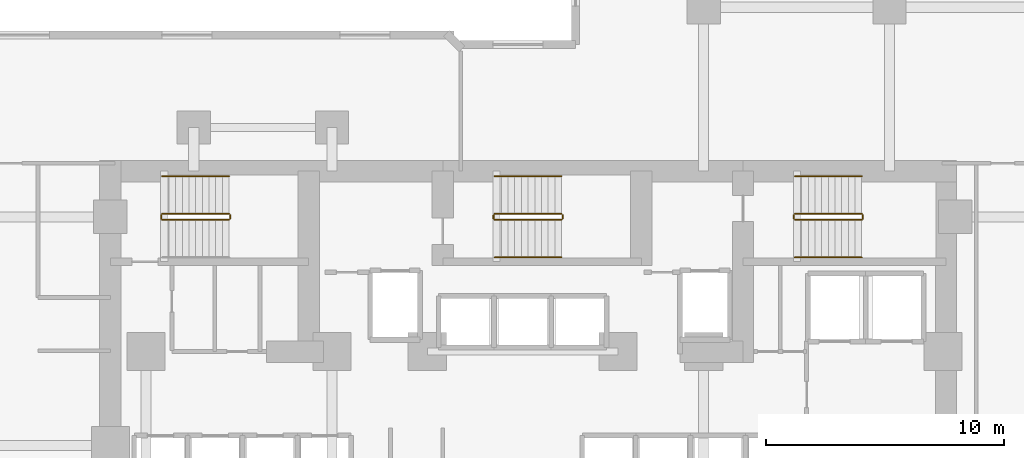
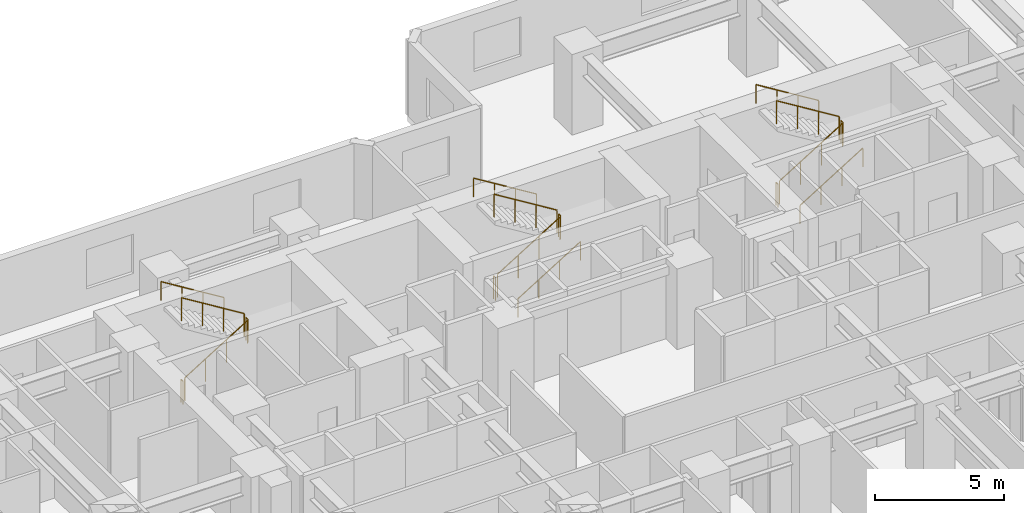
# One storey, part 12 of 12: 17 railings.
"""IFC4 building model written with IfcOpenShell, lengths in metres."""

from ifc_helpers import new_model, si_unit, direction, frame, origin, origin_2d, place, context, subcontext, project, spatial, circle, extrude, material, type_object, element, save


model = new_model("IFC4")

# Units and contexts
model_context = context("Model", 3, precision=1e-05, world=origin(), true_north=direction((0.0, 1.0)))
body_context = subcontext(model_context, "Body", "Model", "MODEL_VIEW")
ifc_project = project(units=[si_unit("LENGTHUNIT", "METRE"), si_unit("AREAUNIT", "SQUARE_METRE"), si_unit("VOLUMEUNIT", "CUBIC_METRE"), si_unit("PLANEANGLEUNIT", "RADIAN"), si_unit("MASSUNIT", "GRAM", prefix="KILO")], contexts=[model_context])

# Site, building, storey
site_placement = place(None, origin())
site = spatial("IfcSite", under=ifc_project, at=site_placement, CompositionType="ELEMENT")
building_placement = place(site_placement, origin())
building = spatial("IfcBuilding", under=site, at=building_placement, Name="Kestravale Grand Hotel", CompositionType="ELEMENT")
storey_placement = place(building_placement, frame((0.0, 0.0, 26.0)))
storey = spatial("IfcBuildingStorey", under=building, at=storey_placement, Name="L05", CompositionType="ELEMENT", Elevation=26.0)

# Railings
ifc_material_1 = material(Name="Painted tubular steel stair well guard", Category="steel")
railing_type_1 = type_object("IfcRailingType", Name="RL-ST-GRD1100", PredefinedType="GUARDRAIL", material=ifc_material_1)
railing_1_placement = place(storey_placement, frame((24.080078125, 38.280029296875, 0.172607421875)))
element("IfcRailing", 1, at=railing_1_placement, inside=storey, type_object=railing_type_1, Name="L05 ST-1 stair guard 1", PredefinedType="GUARDRAIL", context=body_context, shape_type="SweptSolid", body=[
    extrude(circle(Radius=0.02392578125, at=origin_2d()), frame((0.0, 0.0, 1.076171875), z_axis=(0.851069175582, 0.0, 0.525053576669), x_axis=(0.0, 1.0, 0.0)), (0.0, 0.0, 1.0), 3.289794921875),
    extrude(circle(Radius=0.02099609375, at=origin_2d()), origin(), (0.0, 0.0, 1.0), 1.052001953125),
    extrude(circle(Radius=0.02099609375, at=origin_2d()), frame((0.933349609375, 0.0, 0.57568359375)), (0.0, 0.0, 1.0), 1.052001953125),
    extrude(circle(Radius=0.02099609375, at=origin_2d()), frame((1.866455078125, 0.0, 1.151611328125)), (0.0, 0.0, 1.0), 1.052001953125),
    extrude(circle(Radius=0.02099609375, at=origin_2d()), frame((2.7998046875, 0.0, 1.727294921875)), (0.0, 0.0, 1.0), 1.052001953125),
])
railing_2_placement = place(storey_placement, frame((26.929931640625, 38.330078125, 1.89990234375)))
element("IfcRailing", 2, at=railing_2_placement, inside=storey, type_object=railing_type_1, Name="L05 ST-1 stair guard 2", PredefinedType="GUARDRAIL", context=body_context, shape_type="SweptSolid", body=[
    extrude(circle(Radius=0.02392578125, at=origin_2d()), frame((0.0, 0.0, 1.076171875), z_axis=(0.0, 1.0, 0.0), x_axis=(-1.0, 0.0, 0.0)), (0.0, 0.0, 1.0), 0.14990234375),
    extrude(circle(Radius=0.02099609375, at=origin_2d()), origin(), (0.0, 0.0, 1.0), 1.052001953125),
    extrude(circle(Radius=0.02099609375, at=origin_2d()), frame((0.0, 0.14990234375, 0.0)), (0.0, 0.0, 1.0), 1.052001953125),
])
railing_3_placement = place(storey_placement, frame((26.8798828125, 38.530029296875, 2.07275390625)))
element("IfcRailing", 3, at=railing_3_placement, inside=storey, type_object=railing_type_1, Name="L05 ST-1 stair guard 3", PredefinedType="GUARDRAIL", context=body_context, shape_type="SweptSolid", body=[
    extrude(circle(Radius=0.02392578125, at=origin_2d()), frame((0.0, 0.0, 1.076171875), z_axis=(-0.851069175582, 0.0, 0.525053576669), x_axis=(0.0, -1.0, 0.0)), (0.0, 0.0, 1.0), 3.289794921875),
    extrude(circle(Radius=0.02099609375, at=origin_2d()), origin(), (0.0, 0.0, 1.0), 1.052001953125),
    extrude(circle(Radius=0.02099609375, at=origin_2d()), frame((-0.933349609375, 0.0, 0.57568359375)), (0.0, 0.0, 1.0), 1.052001953125),
    extrude(circle(Radius=0.02099609375, at=origin_2d()), frame((-1.866455078125, 0.0, 1.151611328125)), (0.0, 0.0, 1.0), 1.052001953125),
    extrude(circle(Radius=0.02099609375, at=origin_2d()), frame((-2.7998046875, 0.0, 1.727294921875)), (0.0, 0.0, 1.0), 1.052001953125),
])
railing_4_placement = place(storey_placement, frame((24.030029296875, 38.330078125, 0.0)))
element("IfcRailing", 4, at=railing_4_placement, inside=storey, type_object=railing_type_1, Name="L05 ST-1 stair guard 4", PredefinedType="GUARDRAIL", context=body_context, shape_type="SweptSolid", body=[
    extrude(circle(Radius=0.02392578125, at=origin_2d()), frame((0.0, 0.0, 1.076171875), z_axis=(0.0, 1.0, 0.0), x_axis=(-1.0, 0.0, 0.0)), (0.0, 0.0, 1.0), 0.14990234375),
    extrude(circle(Radius=0.02099609375, at=origin_2d()), origin(), (0.0, 0.0, 1.0), 1.052001953125),
    extrude(circle(Radius=0.02099609375, at=origin_2d()), frame((0.0, 0.14990234375, 0.0)), (0.0, 0.0, 1.0), 1.052001953125),
])
railing_5_placement = place(storey_placement, frame((38.030029296875, 38.280029296875, 0.172607421875)))
element("IfcRailing", 5, at=railing_5_placement, inside=storey, type_object=railing_type_1, Name="L05 ST-2 stair guard 1", PredefinedType="GUARDRAIL", context=body_context, shape_type="SweptSolid", body=[
    extrude(circle(Radius=0.02392578125, at=origin_2d()), frame((0.0, 0.0, 1.076171875), z_axis=(0.851089632645, 0.0, 0.525020415988), x_axis=(0.0, 1.0, 0.0)), (0.0, 0.0, 1.0), 3.2900390625),
    extrude(circle(Radius=0.02099609375, at=origin_2d()), origin(), (0.0, 0.0, 1.0), 1.052001953125),
    extrude(circle(Radius=0.02099609375, at=origin_2d()), frame((0.933349609375, 0.0, 0.57568359375)), (0.0, 0.0, 1.0), 1.052001953125),
    extrude(circle(Radius=0.02099609375, at=origin_2d()), frame((1.86669921875, 0.0, 1.151611328125)), (0.0, 0.0, 1.0), 1.052001953125),
    extrude(circle(Radius=0.02099609375, at=origin_2d()), frame((2.800048828125, 0.0, 1.727294921875)), (0.0, 0.0, 1.0), 1.052001953125),
])
railing_6_placement = place(storey_placement, frame((40.8798828125, 38.330078125, 1.89990234375)))
element("IfcRailing", 6, at=railing_6_placement, inside=storey, type_object=railing_type_1, Name="L05 ST-2 stair guard 2", PredefinedType="GUARDRAIL", context=body_context, shape_type="SweptSolid", body=[
    extrude(circle(Radius=0.02392578125, at=origin_2d()), frame((0.0, 0.0, 1.076171875), z_axis=(0.0, 1.0, 0.0), x_axis=(-1.0, 0.0, 0.0)), (0.0, 0.0, 1.0), 0.14990234375),
    extrude(circle(Radius=0.02099609375, at=origin_2d()), origin(), (0.0, 0.0, 1.0), 1.052001953125),
    extrude(circle(Radius=0.02099609375, at=origin_2d()), frame((0.0, 0.14990234375, 0.0)), (0.0, 0.0, 1.0), 1.052001953125),
])
railing_7_placement = place(storey_placement, frame((40.830078125, 38.530029296875, 2.07275390625)))
element("IfcRailing", 7, at=railing_7_placement, inside=storey, type_object=railing_type_1, Name="L05 ST-2 stair guard 3", PredefinedType="GUARDRAIL", context=body_context, shape_type="SweptSolid", body=[
    extrude(circle(Radius=0.02392578125, at=origin_2d()), frame((0.0, 0.0, 1.076171875), z_axis=(-0.851089632645, 0.0, 0.525020415988), x_axis=(0.0, -1.0, 0.0)), (0.0, 0.0, 1.0), 3.2900390625),
    extrude(circle(Radius=0.02099609375, at=origin_2d()), origin(), (0.0, 0.0, 1.0), 1.052001953125),
    extrude(circle(Radius=0.02099609375, at=origin_2d()), frame((-0.933349609375, 0.0, 0.57568359375)), (0.0, 0.0, 1.0), 1.052001953125),
    extrude(circle(Radius=0.02099609375, at=origin_2d()), frame((-1.86669921875, 0.0, 1.151611328125)), (0.0, 0.0, 1.0), 1.052001953125),
    extrude(circle(Radius=0.02099609375, at=origin_2d()), frame((-2.800048828125, 0.0, 1.727294921875)), (0.0, 0.0, 1.0), 1.052001953125),
])
railing_8_placement = place(storey_placement, frame((37.97998046875, 38.330078125, 0.0)))
element("IfcRailing", 8, at=railing_8_placement, inside=storey, type_object=railing_type_1, Name="L05 ST-2 stair guard 4", PredefinedType="GUARDRAIL", context=body_context, shape_type="SweptSolid", body=[
    extrude(circle(Radius=0.02392578125, at=origin_2d()), frame((0.0, 0.0, 1.076171875), z_axis=(0.0, 1.0, 0.0), x_axis=(-1.0, 0.0, 0.0)), (0.0, 0.0, 1.0), 0.14990234375),
    extrude(circle(Radius=0.02099609375, at=origin_2d()), origin(), (0.0, 0.0, 1.0), 1.052001953125),
    extrude(circle(Radius=0.02099609375, at=origin_2d()), frame((0.0, 0.14990234375, 0.0)), (0.0, 0.0, 1.0), 1.052001953125),
])
railing_9_placement = place(storey_placement, frame((50.6298828125, 38.280029296875, 0.172607421875)))
element("IfcRailing", 9, at=railing_9_placement, inside=storey, type_object=railing_type_1, Name="L05 ST-3 stair guard 1", PredefinedType="GUARDRAIL", context=body_context, shape_type="SweptSolid", body=[
    extrude(circle(Radius=0.02392578125, at=origin_2d()), frame((0.0, 0.0, 1.076171875), z_axis=(0.851089632645, 0.0, 0.525020415988), x_axis=(0.0, 1.0, 0.0)), (0.0, 0.0, 1.0), 3.2900390625),
    extrude(circle(Radius=0.02099609375, at=origin_2d()), origin(), (0.0, 0.0, 1.0), 1.052001953125),
    extrude(circle(Radius=0.02099609375, at=origin_2d()), frame((0.933349609375, 0.0, 0.57568359375)), (0.0, 0.0, 1.0), 1.052001953125),
    extrude(circle(Radius=0.02099609375, at=origin_2d()), frame((1.86669921875, 0.0, 1.151611328125)), (0.0, 0.0, 1.0), 1.052001953125),
    extrude(circle(Radius=0.02099609375, at=origin_2d()), frame((2.800048828125, 0.0, 1.727294921875)), (0.0, 0.0, 1.0), 1.052001953125),
])
railing_10_placement = place(storey_placement, frame((53.47998046875, 38.330078125, 1.89990234375)))
element("IfcRailing", 10, at=railing_10_placement, inside=storey, type_object=railing_type_1, Name="L05 ST-3 stair guard 2", PredefinedType="GUARDRAIL", context=body_context, shape_type="SweptSolid", body=[
    extrude(circle(Radius=0.02392578125, at=origin_2d()), frame((0.0, 0.0, 1.076171875), z_axis=(0.0, 1.0, 0.0), x_axis=(-1.0, 0.0, 0.0)), (0.0, 0.0, 1.0), 0.14990234375),
    extrude(circle(Radius=0.02099609375, at=origin_2d()), origin(), (0.0, 0.0, 1.0), 1.052001953125),
    extrude(circle(Radius=0.02099609375, at=origin_2d()), frame((0.0, 0.14990234375, 0.0)), (0.0, 0.0, 1.0), 1.052001953125),
])
railing_11_placement = place(storey_placement, frame((53.429931640625, 38.530029296875, 2.07275390625)))
element("IfcRailing", 11, at=railing_11_placement, inside=storey, type_object=railing_type_1, Name="L05 ST-3 stair guard 3", PredefinedType="GUARDRAIL", context=body_context, shape_type="SweptSolid", body=[
    extrude(circle(Radius=0.02392578125, at=origin_2d()), frame((0.0, 0.0, 1.076171875), z_axis=(-0.851089632645, 0.0, 0.525020415988), x_axis=(0.0, -1.0, 0.0)), (0.0, 0.0, 1.0), 3.2900390625),
    extrude(circle(Radius=0.02099609375, at=origin_2d()), origin(), (0.0, 0.0, 1.0), 1.052001953125),
    extrude(circle(Radius=0.02099609375, at=origin_2d()), frame((-0.933349609375, 0.0, 0.57568359375)), (0.0, 0.0, 1.0), 1.052001953125),
    extrude(circle(Radius=0.02099609375, at=origin_2d()), frame((-1.86669921875, 0.0, 1.151611328125)), (0.0, 0.0, 1.0), 1.052001953125),
    extrude(circle(Radius=0.02099609375, at=origin_2d()), frame((-2.800048828125, 0.0, 1.727294921875)), (0.0, 0.0, 1.0), 1.052001953125),
])
railing_12_placement = place(storey_placement, frame((50.580078125, 38.330078125, 0.0)))
element("IfcRailing", 12, at=railing_12_placement, inside=storey, type_object=railing_type_1, Name="L05 ST-3 stair guard 4", PredefinedType="GUARDRAIL", context=body_context, shape_type="SweptSolid", body=[
    extrude(circle(Radius=0.02392578125, at=origin_2d()), frame((0.0, 0.0, 1.076171875), z_axis=(0.0, 1.0, 0.0), x_axis=(-1.0, 0.0, 0.0)), (0.0, 0.0, 1.0), 0.14990234375),
    extrude(circle(Radius=0.02099609375, at=origin_2d()), origin(), (0.0, 0.0, 1.0), 1.052001953125),
    extrude(circle(Radius=0.02099609375, at=origin_2d()), frame((0.0, 0.14990234375, 0.0)), (0.0, 0.0, 1.0), 1.052001953125),
])
ifc_material_2 = material(Name="Brushed stainless steel wall handrail", Category="steel")
railing_type_2 = type_object("IfcRailingType", Name="RL-ST-HND900", PredefinedType="HANDRAIL", material=ifc_material_2)
railing_13_placement = place(storey_placement, frame((26.8798828125, 40.110107421875, 2.07275390625)))
element("IfcRailing", 13, at=railing_13_placement, inside=storey, type_object=railing_type_2, Name="L05 ST-1 stair handrail 2", PredefinedType="HANDRAIL", context=body_context, shape_type="SweptSolid", body=[
    extrude(circle(Radius=0.02392578125, at=origin_2d()), frame((0.0, 0.0, 0.8759765625), z_axis=(-0.851069175582, 0.0, 0.525053576669), x_axis=(0.0, -1.0, 0.0)), (0.0, 0.0, 1.0), 3.289794921875),
    extrude(circle(Radius=0.02099609375, at=origin_2d()), origin(), (0.0, 0.0, 1.0), 0.851806640625),
    extrude(circle(Radius=0.02099609375, at=origin_2d()), frame((-0.933349609375, 0.0, 0.57568359375)), (0.0, 0.0, 1.0), 0.851806640625),
    extrude(circle(Radius=0.02099609375, at=origin_2d()), frame((-1.866455078125, 0.0, 1.151611328125)), (0.0, 0.0, 1.0), 0.851806640625),
    extrude(circle(Radius=0.02099609375, at=origin_2d()), frame((-2.7998046875, 0.0, 1.727294921875)), (0.0, 0.0, 1.0), 0.851806640625),
])
railing_14_placement = place(storey_placement, frame((38.030029296875, 36.699951171875, 0.172607421875)))
element("IfcRailing", 14, at=railing_14_placement, inside=storey, type_object=railing_type_2, Name="L05 ST-2 stair handrail 1", PredefinedType="HANDRAIL", context=body_context, shape_type="SweptSolid", body=[
    extrude(circle(Radius=0.02392578125, at=origin_2d()), frame((0.0, 0.0, 0.8759765625), z_axis=(0.851089632645, 0.0, 0.525020415988), x_axis=(0.0, 1.0, 0.0)), (0.0, 0.0, 1.0), 3.2900390625),
    extrude(circle(Radius=0.02099609375, at=origin_2d()), origin(), (0.0, 0.0, 1.0), 0.851806640625),
    extrude(circle(Radius=0.02099609375, at=origin_2d()), frame((0.933349609375, 0.0, 0.57568359375)), (0.0, 0.0, 1.0), 0.851806640625),
    extrude(circle(Radius=0.02099609375, at=origin_2d()), frame((1.86669921875, 0.0, 1.151611328125)), (0.0, 0.0, 1.0), 0.851806640625),
    extrude(circle(Radius=0.02099609375, at=origin_2d()), frame((2.800048828125, 0.0, 1.727294921875)), (0.0, 0.0, 1.0), 0.851806640625),
])
railing_15_placement = place(storey_placement, frame((40.830078125, 40.110107421875, 2.07275390625)))
element("IfcRailing", 15, at=railing_15_placement, inside=storey, type_object=railing_type_2, Name="L05 ST-2 stair handrail 2", PredefinedType="HANDRAIL", context=body_context, shape_type="SweptSolid", body=[
    extrude(circle(Radius=0.02392578125, at=origin_2d()), frame((0.0, 0.0, 0.8759765625), z_axis=(-0.851089632645, 0.0, 0.525020415988), x_axis=(0.0, -1.0, 0.0)), (0.0, 0.0, 1.0), 3.2900390625),
    extrude(circle(Radius=0.02099609375, at=origin_2d()), origin(), (0.0, 0.0, 1.0), 0.851806640625),
    extrude(circle(Radius=0.02099609375, at=origin_2d()), frame((-0.933349609375, 0.0, 0.57568359375)), (0.0, 0.0, 1.0), 0.851806640625),
    extrude(circle(Radius=0.02099609375, at=origin_2d()), frame((-1.86669921875, 0.0, 1.151611328125)), (0.0, 0.0, 1.0), 0.851806640625),
    extrude(circle(Radius=0.02099609375, at=origin_2d()), frame((-2.800048828125, 0.0, 1.727294921875)), (0.0, 0.0, 1.0), 0.851806640625),
])
railing_16_placement = place(storey_placement, frame((50.6298828125, 36.699951171875, 0.172607421875)))
element("IfcRailing", 16, at=railing_16_placement, inside=storey, type_object=railing_type_2, Name="L05 ST-3 stair handrail 1", PredefinedType="HANDRAIL", context=body_context, shape_type="SweptSolid", body=[
    extrude(circle(Radius=0.02392578125, at=origin_2d()), frame((0.0, 0.0, 0.8759765625), z_axis=(0.851089632645, 0.0, 0.525020415988), x_axis=(0.0, 1.0, 0.0)), (0.0, 0.0, 1.0), 3.2900390625),
    extrude(circle(Radius=0.02099609375, at=origin_2d()), origin(), (0.0, 0.0, 1.0), 0.851806640625),
    extrude(circle(Radius=0.02099609375, at=origin_2d()), frame((0.933349609375, 0.0, 0.57568359375)), (0.0, 0.0, 1.0), 0.851806640625),
    extrude(circle(Radius=0.02099609375, at=origin_2d()), frame((1.86669921875, 0.0, 1.151611328125)), (0.0, 0.0, 1.0), 0.851806640625),
    extrude(circle(Radius=0.02099609375, at=origin_2d()), frame((2.800048828125, 0.0, 1.727294921875)), (0.0, 0.0, 1.0), 0.851806640625),
])
railing_17_placement = place(storey_placement, frame((53.429931640625, 40.110107421875, 2.07275390625)))
element("IfcRailing", 17, at=railing_17_placement, inside=storey, type_object=railing_type_2, Name="L05 ST-3 stair handrail 2", PredefinedType="HANDRAIL", context=body_context, shape_type="SweptSolid", body=[
    extrude(circle(Radius=0.02392578125, at=origin_2d()), frame((0.0, 0.0, 0.8759765625), z_axis=(-0.851089632645, 0.0, 0.525020415988), x_axis=(0.0, -1.0, 0.0)), (0.0, 0.0, 1.0), 3.2900390625),
    extrude(circle(Radius=0.02099609375, at=origin_2d()), origin(), (0.0, 0.0, 1.0), 0.851806640625),
    extrude(circle(Radius=0.02099609375, at=origin_2d()), frame((-0.933349609375, 0.0, 0.57568359375)), (0.0, 0.0, 1.0), 0.851806640625),
    extrude(circle(Radius=0.02099609375, at=origin_2d()), frame((-1.86669921875, 0.0, 1.151611328125)), (0.0, 0.0, 1.0), 0.851806640625),
    extrude(circle(Radius=0.02099609375, at=origin_2d()), frame((-2.800048828125, 0.0, 1.727294921875)), (0.0, 0.0, 1.0), 0.851806640625),
])

save(model, "model.ifc")
